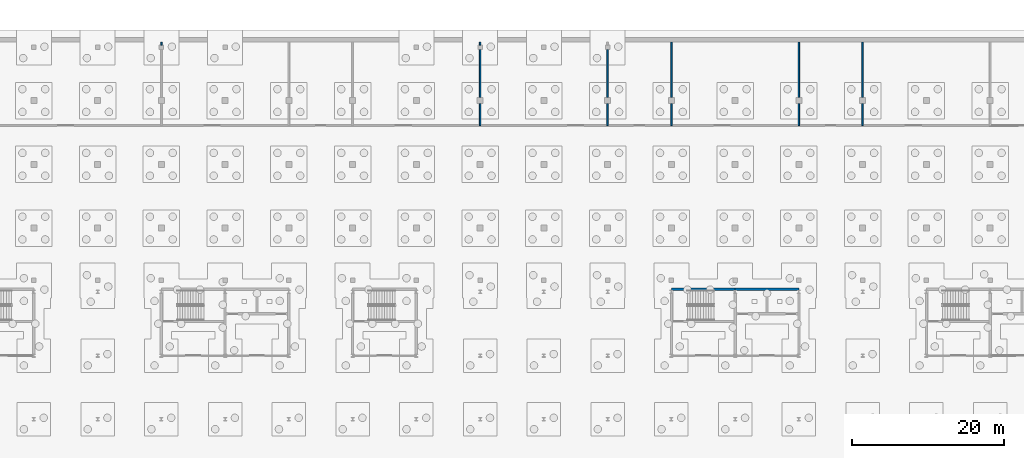
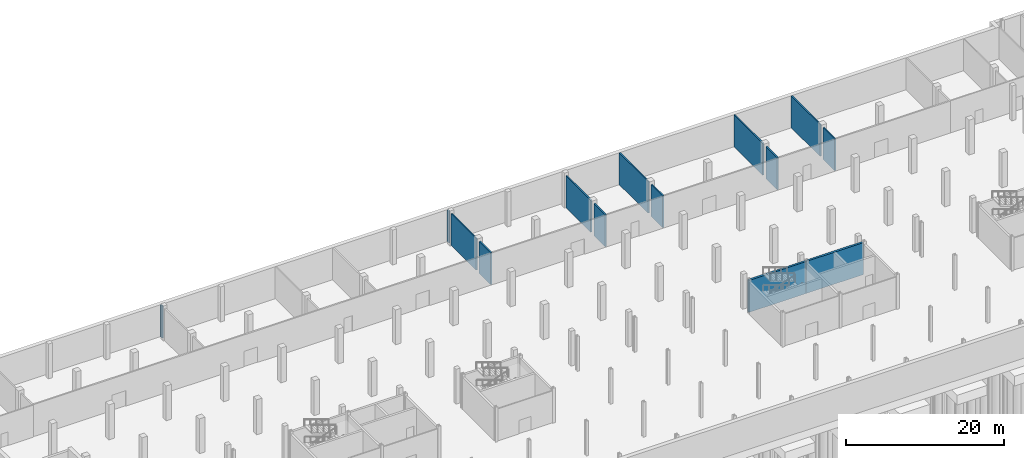
# One storey, part 18 of 29: 14 walls.
"""IFC4 building model written with IfcOpenShell, lengths in metres."""

from ifc_helpers import new_model, si_unit, direction, frame, frame_2d, origin, place, context, subcontext, project, spatial, rectangle, extrude, material, layer, layer_set, type_object, element, save


model = new_model("IFC4")

# Units and contexts
model_context = context("Model", 3, precision=1e-05, world=origin(), true_north=direction((0.0, 1.0)))
body_context = subcontext(model_context, "Body", "Model", "MODEL_VIEW")
ifc_project = project(units=[si_unit("LENGTHUNIT", "METRE"), si_unit("AREAUNIT", "SQUARE_METRE"), si_unit("VOLUMEUNIT", "CUBIC_METRE"), si_unit("PLANEANGLEUNIT", "RADIAN"), si_unit("MASSUNIT", "GRAM", prefix="KILO")], contexts=[model_context])

# Site, building, storey
site_placement = place(None, origin())
site = spatial("IfcSite", under=ifc_project, at=site_placement, CompositionType="ELEMENT")
building_placement = place(site_placement, origin())
building = spatial("IfcBuilding", under=site, at=building_placement, Name="Cresset Court Congress Hotel", CompositionType="ELEMENT")
storey_placement = place(building_placement, frame((0.0, 0.0, -5.39990234375)))
storey = spatial("IfcBuildingStorey", under=building, at=storey_placement, Name="B1", CompositionType="ELEMENT", Elevation=-5.39990234375)

# Walls
ifc_material_1 = material(Name="Concrete C50", Category="concrete")
ifc_layer_1 = layer(ifc_material_1, 0.300048828125)
ifc_layer_set_1 = layer_set([ifc_layer_1], Name="Core wall 300 Concrete C50 external")
wall_type_1 = type_object("IfcWallType", Name="Core wall 300 Concrete C50 external", PredefinedType="SHEAR", material=ifc_layer_set_1)
wall_1_placement = place(storey_placement, frame((109.199951171875, 25.550048828125, 0.0), z_axis=(0.0, 0.0, 1.0), x_axis=(1.0, 0.0, 0.0)))
element("IfcWall", 1, at=wall_1_placement, inside=storey, type_object=wall_type_1, Name="Core wall LC-B2", PredefinedType="SHEAR", context=body_context, shape_type="SweptSolid", body=[
    extrude(rectangle(XDim=8.400146484375, YDim=0.300048828125, at=frame_2d((4.2001953125, 0.0))), origin(), (0.0, 0.0, 1.0), 4.949951171875),
])
wall_2_placement = place(storey_placement, frame((100.800048828125, 25.550048828125, 0.0), z_axis=(0.0, 0.0, 1.0), x_axis=(1.0, 0.0, 0.0)))
element("IfcWall", 2, at=wall_2_placement, inside=storey, type_object=wall_type_1, Name="Core wall ST-B4", PredefinedType="SHEAR", context=body_context, shape_type="SweptSolid", body=[
    extrude(rectangle(XDim=8.39990234375, YDim=0.300048828125, at=frame_2d((4.199951171875, 0.0))), origin(), (0.0, 0.0, 1.0), 4.949951171875),
])
ifc_material_2 = material(Name="Concrete C35", Category="concrete")
ifc_layer_2 = layer(ifc_material_2, 0.199951171875)
ifc_layer_set_2 = layer_set([ifc_layer_2], Name="Plant room wall 200")
wall_type_2 = type_object("IfcWallType", Name="Plant room wall 200", PredefinedType="PARTITIONING", material=ifc_layer_set_2)
wall_3_placement = place(storey_placement, frame((33.60009765625, 57.699951171875, 0.0), z_axis=(0.0, 0.0, 1.0), x_axis=(0.0, 1.0, 0.0)))
element("IfcWall", 3, at=wall_3_placement, inside=storey, type_object=wall_type_2, Name="S.wall.B1.P024", PredefinedType="PARTITIONING", context=body_context, shape_type="SweptSolid", body=[
    extrude(rectangle(XDim=0.400146484375, YDim=0.199951171875, at=frame_2d((0.2001953125, 0.0))), origin(), (0.0, 0.0, 1.0), 4.949951171875),
])
wall_4_placement = place(storey_placement, frame((75.60009765625, 47.10009765625, 0.0), z_axis=(0.0, 0.0, 1.0), x_axis=(0.0, 1.0, 0.0)))
element("IfcWall", 4, at=wall_4_placement, inside=storey, type_object=wall_type_2, Name="S.wall.B1.P029", PredefinedType="PARTITIONING", context=body_context, shape_type="SweptSolid", body=[
    extrude(rectangle(XDim=2.89990234375, YDim=0.199951171875, at=frame_2d((1.449951171875, 0.0))), origin(), (0.0, 0.0, 1.0), 4.949951171875),
])
wall_5_placement = place(storey_placement, frame((75.60009765625, 50.800048828125, 0.0), z_axis=(0.0, 0.0, 1.0), x_axis=(0.0, 1.0, 0.0)))
element("IfcWall", 5, at=wall_5_placement, inside=storey, type_object=wall_type_2, Name="S.wall.B1.P030", PredefinedType="PARTITIONING", context=body_context, shape_type="SweptSolid", body=[
    extrude(rectangle(XDim=6.300048828125, YDim=0.199951171875, at=frame_2d((3.14990234375, 0.0))), origin(), (0.0, 0.0, 1.0), 4.949951171875),
])
wall_6_placement = place(storey_placement, frame((75.60009765625, 57.699951171875, 0.0), z_axis=(0.0, 0.0, 1.0), x_axis=(0.0, 1.0, 0.0)))
element("IfcWall", 6, at=wall_6_placement, inside=storey, type_object=wall_type_2, Name="S.wall.B1.P031", PredefinedType="PARTITIONING", context=body_context, shape_type="SweptSolid", body=[
    extrude(rectangle(XDim=0.400146484375, YDim=0.199951171875, at=frame_2d((0.2001953125, 0.0))), origin(), (0.0, 0.0, 1.0), 4.949951171875),
])
wall_7_placement = place(storey_placement, frame((92.39990234375, 47.10009765625, 0.0), z_axis=(0.0, 0.0, 1.0), x_axis=(0.0, 1.0, 0.0)))
element("IfcWall", 7, at=wall_7_placement, inside=storey, type_object=wall_type_2, Name="S.wall.B1.P032", PredefinedType="PARTITIONING", context=body_context, shape_type="SweptSolid", body=[
    extrude(rectangle(XDim=2.89990234375, YDim=0.199951171875, at=frame_2d((1.449951171875, 0.0))), origin(), (0.0, 0.0, 1.0), 4.949951171875),
])
wall_8_placement = place(storey_placement, frame((92.39990234375, 50.800048828125, 0.0), z_axis=(0.0, 0.0, 1.0), x_axis=(0.0, 1.0, 0.0)))
element("IfcWall", 8, at=wall_8_placement, inside=storey, type_object=wall_type_2, Name="S.wall.B1.P033", PredefinedType="PARTITIONING", context=body_context, shape_type="SweptSolid", body=[
    extrude(rectangle(XDim=6.300048828125, YDim=0.199951171875, at=frame_2d((3.14990234375, 0.0))), origin(), (0.0, 0.0, 1.0), 4.949951171875),
])
wall_9_placement = place(storey_placement, frame((100.800048828125, 47.10009765625, 0.0), z_axis=(0.0, 0.0, 1.0), x_axis=(0.0, 1.0, 0.0)))
element("IfcWall", 9, at=wall_9_placement, inside=storey, type_object=wall_type_2, Name="S.wall.B1.P035", PredefinedType="PARTITIONING", context=body_context, shape_type="SweptSolid", body=[
    extrude(rectangle(XDim=2.89990234375, YDim=0.199951171875, at=frame_2d((1.449951171875, 0.0))), origin(), (0.0, 0.0, 1.0), 4.949951171875),
])
wall_10_placement = place(storey_placement, frame((100.800048828125, 50.800048828125, 0.0), z_axis=(0.0, 0.0, 1.0), x_axis=(0.0, 1.0, 0.0)))
element("IfcWall", 10, at=wall_10_placement, inside=storey, type_object=wall_type_2, Name="S.wall.B1.P036", PredefinedType="PARTITIONING", context=body_context, shape_type="SweptSolid", body=[
    extrude(rectangle(XDim=7.300048828125, YDim=0.199951171875, at=frame_2d((3.64990234375, 0.0))), origin(), (0.0, 0.0, 1.0), 4.949951171875),
])
wall_11_placement = place(storey_placement, frame((117.60009765625, 47.10009765625, 0.0), z_axis=(0.0, 0.0, 1.0), x_axis=(0.0, 1.0, 0.0)))
element("IfcWall", 11, at=wall_11_placement, inside=storey, type_object=wall_type_2, Name="S.wall.B1.P037", PredefinedType="PARTITIONING", context=body_context, shape_type="SweptSolid", body=[
    extrude(rectangle(XDim=2.89990234375, YDim=0.199951171875, at=frame_2d((1.449951171875, 0.0))), origin(), (0.0, 0.0, 1.0), 4.949951171875),
])
wall_12_placement = place(storey_placement, frame((117.60009765625, 50.800048828125, 0.0), z_axis=(0.0, 0.0, 1.0), x_axis=(0.0, 1.0, 0.0)))
element("IfcWall", 12, at=wall_12_placement, inside=storey, type_object=wall_type_2, Name="S.wall.B1.P038", PredefinedType="PARTITIONING", context=body_context, shape_type="SweptSolid", body=[
    extrude(rectangle(XDim=7.300048828125, YDim=0.199951171875, at=frame_2d((3.64990234375, 0.0))), origin(), (0.0, 0.0, 1.0), 4.949951171875),
])
wall_13_placement = place(storey_placement, frame((126.0, 47.10009765625, 0.0), z_axis=(0.0, 0.0, 1.0), x_axis=(0.0, 1.0, 0.0)))
element("IfcWall", 13, at=wall_13_placement, inside=storey, type_object=wall_type_2, Name="S.wall.B1.P039", PredefinedType="PARTITIONING", context=body_context, shape_type="SweptSolid", body=[
    extrude(rectangle(XDim=2.89990234375, YDim=0.199951171875, at=frame_2d((1.449951171875, 0.0))), origin(), (0.0, 0.0, 1.0), 4.949951171875),
])
wall_14_placement = place(storey_placement, frame((126.0, 50.800048828125, 0.0), z_axis=(0.0, 0.0, 1.0), x_axis=(0.0, 1.0, 0.0)))
element("IfcWall", 14, at=wall_14_placement, inside=storey, type_object=wall_type_2, Name="S.wall.B1.P040", PredefinedType="PARTITIONING", context=body_context, shape_type="SweptSolid", body=[
    extrude(rectangle(XDim=7.300048828125, YDim=0.199951171875, at=frame_2d((3.64990234375, 0.0))), origin(), (0.0, 0.0, 1.0), 4.949951171875),
])

save(model, "model.ifc")
